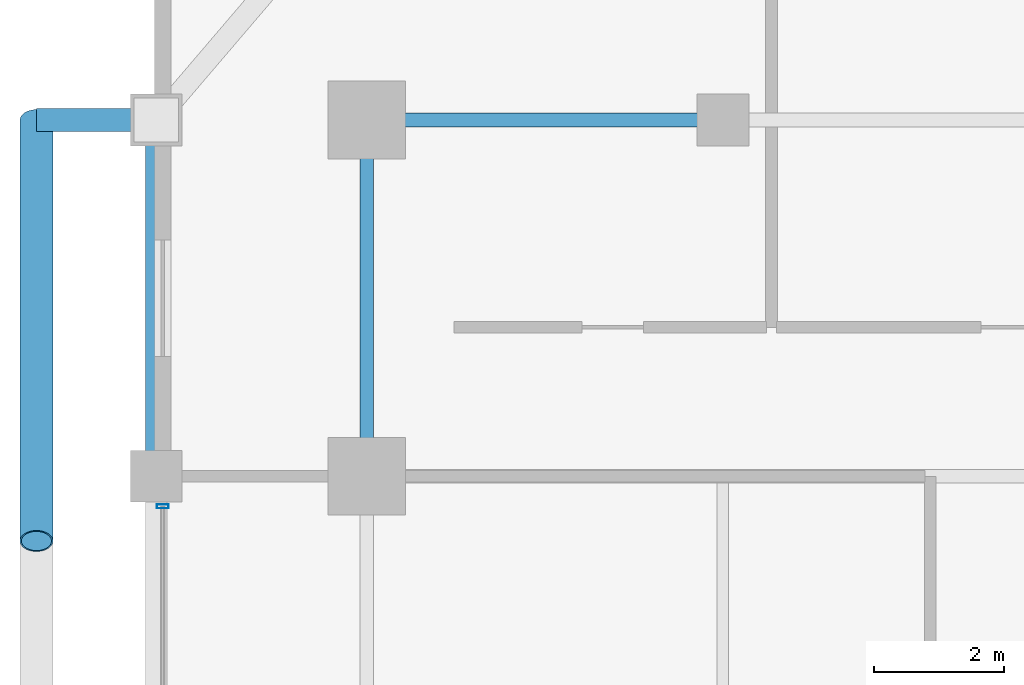
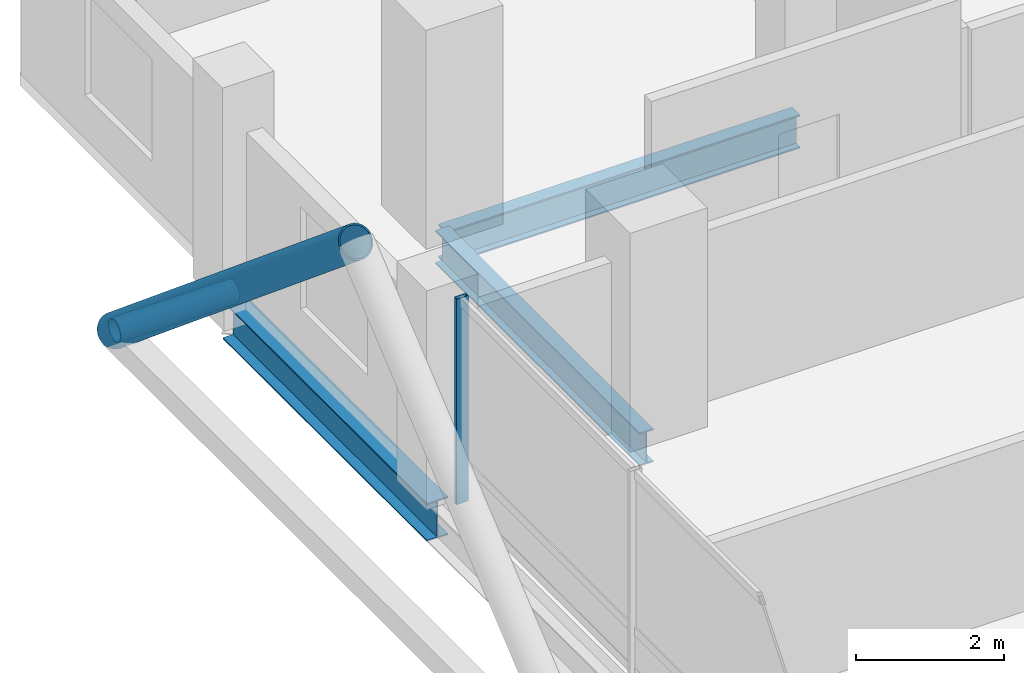
# One storey, part 12 of 24: 3 beams, 3 members, 1 element without a shape of its own.
"""IFC4 building model written with IfcOpenShell, lengths in metres."""

from ifc_helpers import new_model, si_unit, direction, frame, origin, origin_2d, place, context, subcontext, project, spatial, hollow_rectangle, hollow_circle, i_section, extrude, material, layer, layer_set, material_profile, profile_set, type_object, element, aggregate, save


model = new_model("IFC4")

# Units and contexts
model_context = context("Model", 3, precision=1e-05, world=origin(), true_north=direction((0.0, 1.0)))
body_context = subcontext(model_context, "Body", "Model", "MODEL_VIEW")
ifc_project = project(units=[si_unit("LENGTHUNIT", "METRE"), si_unit("AREAUNIT", "SQUARE_METRE"), si_unit("VOLUMEUNIT", "CUBIC_METRE"), si_unit("PLANEANGLEUNIT", "RADIAN"), si_unit("MASSUNIT", "GRAM", prefix="KILO")], contexts=[model_context])

# Site, building, storey
site_placement = place(None, origin())
site = spatial("IfcSite", under=ifc_project, at=site_placement, CompositionType="ELEMENT")
building_placement = place(site_placement, origin())
building = spatial("IfcBuilding", under=site, at=building_placement, Name="Barlavira Tower and Art Museum", CompositionType="ELEMENT")
storey_placement = place(building_placement, frame((0.0, 0.0, 154.800048828125)))
storey = spatial("IfcBuildingStorey", under=building, at=storey_placement, Name="L39", CompositionType="ELEMENT", Elevation=154.800048828125)

# Curtain wall, member
ifc_material_1 = material(Name="Low-iron coastal laminated glass", Category="glass")
ifc_layer = layer(ifc_material_1, 0.18994140625, Name="Low-iron coastal laminated glass")
ifc_layer_set = layer_set([ifc_layer], Name="Low-iron coastal laminated glass")
curtain_wall_type = type_object("IfcCurtainWallType", Name="Pale-Metal Unitised Curtain Wall Zone 2", PredefinedType="NOTDEFINED", material=ifc_layer_set)
curtain_wall_placement = place(storey_placement, origin())
curtain_wall = element("IfcCurtainWall", 1, at=curtain_wall_placement, inside=storey, type_object=curtain_wall_type, Name="L39 Curtain Wall CW2-L39-W-B3", PredefinedType="NOTDEFINED")
ifc_material_2 = material(Name="Pale anodised aluminium", Category="aluminium")
ifc_material_profile_1 = material_profile(ifc_material_2, hollow_rectangle(XDim=0.06494140625, YDim=0.179931640625, WallThickness=0.00390625, at=origin_2d()), Name="ALU-MULL 65x180x4")
ifc_profile_set_1 = profile_set([ifc_material_profile_1], Name="Pale anodised aluminium")
member_type_1 = type_object("IfcMemberType", Name="Curtain Wall Pale-Metal Mullion 65x180", PredefinedType="MULLION", material=ifc_profile_set_1)
member_1_placement = place(storey_placement, frame((-20.14990234375, 7.034912109375, 0.0), z_axis=(0.0, 0.0, 1.0), x_axis=(0.0, -1.0, 0.0)))
member_1 = element("IfcMember", 2, at=member_1_placement, type_object=member_type_1, Name="CW2-L39-W-B3 Mullion 0", PredefinedType="MULLION", context=body_context, shape_type="SweptSolid", body=[
    extrude(hollow_rectangle(XDim=0.06494140625, YDim=0.179931640625, WallThickness=0.00390625, at=origin_2d()), origin(), (0.0, 0.0, 1.0), 3.3798828125),
])
aggregate(curtain_wall, [member_1])

# Members
ifc_material_3 = material(Name="Steel S355", Category="steel")
ifc_material_profile_2 = material_profile(ifc_material_3, hollow_circle(Radius=0.25390625, WallThickness=0.022216796875, at=origin_2d()), Name="CHS 508.0x22.2")
ifc_profile_set_2 = profile_set([ifc_material_profile_2], Name="Steel S355")
member_type_2 = type_object("IfcMemberType", Name="Pale-Metal Exoskeleton Diagrid Tube CHS 508x22 Steel S355", PredefinedType="BRACE", material=ifc_profile_set_2)
member_2_placement = place(storey_placement, frame((-22.10009765625, 13.0, -0.1201171875), z_axis=(0.0, -0.76918185268, 0.639029950399), x_axis=(1.0, 0.0, 0.0)))
element("IfcMember", 3, at=member_2_placement, inside=storey, type_object=member_type_2, Name="L39 Exoskeleton Diagrid Tube W", PredefinedType="BRACE", context=body_context, shape_type="SweptSolid", body=[
    extrude(hollow_circle(Radius=0.25390625, WallThickness=0.022216796875, at=origin_2d()), origin(), (0.0, 0.0, 1.0), 8.450439453125),
])
ifc_material_profile_3 = material_profile(ifc_material_3, hollow_circle(Radius=0.177734375, WallThickness=0.01611328125, at=origin_2d()), Name="CHS 355.6x16.0")
ifc_profile_set_3 = profile_set([ifc_material_profile_3], Name="Steel S355")
member_type_3 = type_object("IfcMemberType", Name="Pale-Metal Exoskeleton Tie Strut CHS 356x16 Steel S355", PredefinedType="STRUT", material=ifc_profile_set_3)
member_3_placement = place(storey_placement, frame((-22.10009765625, 13.0, -0.1201171875), z_axis=(1.0, 0.0, 0.0), x_axis=(0.0, 1.0, 0.0)))
element("IfcMember", 4, at=member_3_placement, inside=storey, type_object=member_type_3, Name="L39 Exoskeleton Tie Strut W3", PredefinedType="STRUT", context=body_context, shape_type="SweptSolid", body=[
    extrude(hollow_circle(Radius=0.177734375, WallThickness=0.01611328125, at=origin_2d()), origin(), (0.0, 0.0, 1.0), 1.85009765625),
])

# Beams
ifc_material_profile_4 = material_profile(ifc_material_3, i_section(OverallWidth=0.327880859375, OverallDepth=0.62890625, WebThickness=0.013916015625, FlangeThickness=0.021484375, at=origin_2d()), Name="W610x174.0")
ifc_profile_set_4 = profile_set([ifc_material_profile_4], Name="Steel S355")
beam_type_1 = type_object("IfcBeamType", Name="Perimeter Spandrel Edge Beam W610x174 Steel S355", PredefinedType="SPANDREL", material=ifc_profile_set_4)
beam_placement = place(storey_placement, frame((-20.25, 7.5, -0.53466796875), z_axis=(0.0, 1.0, 0.0), x_axis=(-1.0, 0.0, 0.0)))
element("IfcBeam", 5, at=beam_placement, inside=storey, type_object=beam_type_1, Name="L39 Spandrel 13", PredefinedType="SPANDREL", context=body_context, shape_type="SweptSolid", body=[
    extrude(i_section(OverallWidth=0.327880859375, OverallDepth=0.62890625, WebThickness=0.013916015625, FlangeThickness=0.021484375, at=origin_2d()), origin(), (0.0, 0.0, 1.0), 5.5),
])
ifc_material_profile_5 = material_profile(ifc_material_3, i_section(OverallWidth=0.214111328125, OverallDepth=0.549072265625, WebThickness=0.0146484375, FlangeThickness=0.023681640625, at=origin_2d()), Name="W530x138.0")
ifc_profile_set_5 = profile_set([ifc_material_profile_5], Name="Steel S355")
beam_type_2 = type_object("IfcBeamType", Name="Zone 1 Primary Floor Girder W530x138 Steel S355", PredefinedType="BEAM", material=ifc_profile_set_5)
for number, where, z_axis, x_axis, name in (
    (6, (-17.0, 7.5, -0.49462890625), (0.0, 1.0, 0.0), (-1.0, 0.0, 0.0), "L39 Girder M-W3"),
    (7, (-17.0, 13.0, -0.49462890625), (1.0, 0.0, 0.0), (0.0, 1.0, 0.0), "L39 Girder I-N1"),
):
    element("IfcBeam", number, at=place(storey_placement, frame(where, z_axis=z_axis, x_axis=x_axis)), inside=storey, type_object=beam_type_2, Name=name, PredefinedType="BEAM", context=body_context, shape_type="SweptSolid", body=[
        extrude(i_section(OverallWidth=0.214111328125, OverallDepth=0.549072265625, WebThickness=0.0146484375, FlangeThickness=0.023681640625, at=origin_2d()), origin(), (0.0, 0.0, 1.0), 5.5),
    ])

save(model, "model.ifc")
